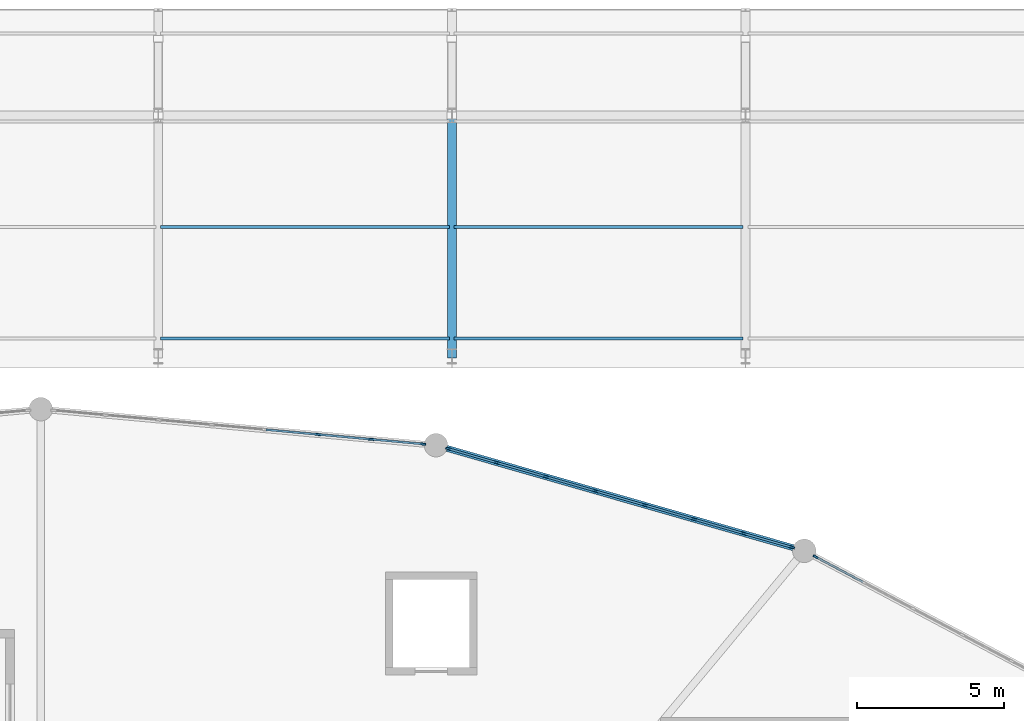
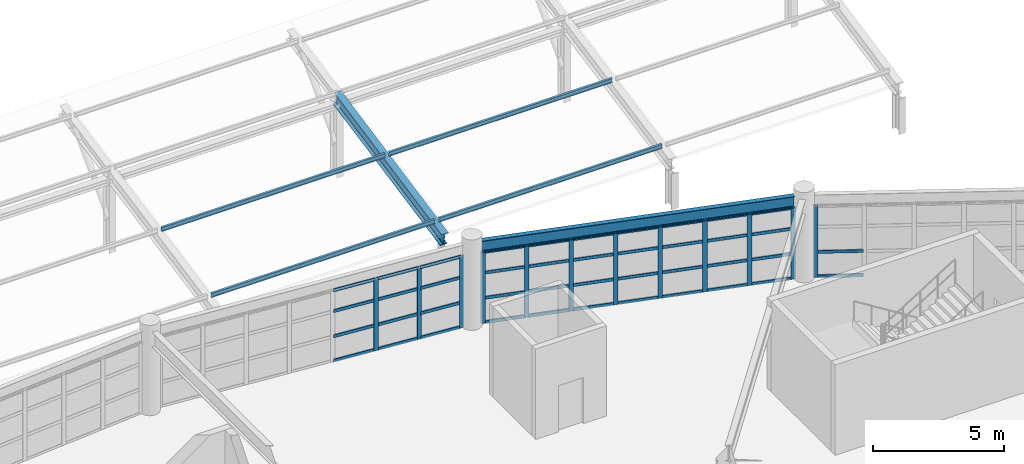
# One storey, part 45 of 100: 58 members, 2 beams, 3 elements without a shape of their own.
"""IFC4 building model written with IfcOpenShell, lengths in metres."""

from ifc_helpers import new_model, si_unit, direction, frame, origin, origin_2d, place, context, subcontext, project, spatial, rectangle, i_section, extrude, material, layer, layer_set, material_profile, profile_set, type_object, element, aggregate, save


model = new_model("IFC4")

# Units and contexts
model_context = context("Model", 3, precision=1e-05, world=origin(), true_north=direction((0.0, 1.0)))
body_context = subcontext(model_context, "Body", "Model", "MODEL_VIEW")
ifc_project = project(units=[si_unit("LENGTHUNIT", "METRE"), si_unit("AREAUNIT", "SQUARE_METRE"), si_unit("VOLUMEUNIT", "CUBIC_METRE"), si_unit("PLANEANGLEUNIT", "RADIAN"), si_unit("MASSUNIT", "GRAM", prefix="KILO")], contexts=[model_context])

# Site, building, storey
site_placement = place(None, origin())
site = spatial("IfcSite", under=ifc_project, at=site_placement, CompositionType="ELEMENT")
building_placement = place(site_placement, origin())
building = spatial("IfcBuilding", under=site, at=building_placement, Name="Kivolera Central Railway Station", CompositionType="ELEMENT")
storey_placement = place(building_placement, frame((0.0, 0.0, 5.39990234375)))
storey = spatial("IfcBuildingStorey", under=building, at=storey_placement, Name="L01", CompositionType="ELEMENT", Elevation=5.39990234375)

# Beams
ifc_material_1 = material(Name="Steel S355", Category="steel")
ifc_material_profile_1 = material_profile(ifc_material_1, i_section(OverallWidth=0.300048828125, OverallDepth=0.60009765625, WebThickness=0.015380859375, FlangeThickness=0.030029296875, FilletRadius=0.027099609375, at=origin_2d()), Name="HEB 600")
ifc_profile_set_1 = profile_set([ifc_material_profile_1], Name="Steel S355")
beam_type_1 = type_object("IfcBeamType", Name="BM-CAN-MAIN", PredefinedType="BEAM", material=ifc_profile_set_1)
beam_1_placement = place(storey_placement, frame((78.0, 127.800048828125, 1.940185546875), z_axis=(0.0, 0.98058292142, 0.196104906159), x_axis=(-1.0, 0.0, 0.0)))
element("IfcBeam", 1, at=beam_1_placement, inside=storey, type_object=beam_type_1, Name="Forecourt Canopy Main Back-Span Girder 6", PredefinedType="BEAM", context=body_context, shape_type="SweptSolid", body=[
    extrude(i_section(OverallWidth=0.300048828125, OverallDepth=0.60009765625, WebThickness=0.015380859375, FlangeThickness=0.030029296875, FilletRadius=0.027099609375, at=origin_2d()), origin(), (0.0, 0.0, 1.0), 8.3623046875),
])
ifc_material_profile_2 = material_profile(ifc_material_1, i_section(OverallWidth=0.209228515625, OverallDepth=0.533203125, WebThickness=0.010009765625, FlangeThickness=0.015625, FilletRadius=0.0126953125, at=origin_2d()), Name="UB 533x210x92")
ifc_profile_set_2 = profile_set([ifc_material_profile_2], Name="Steel S355")
beam_type_2 = type_object("IfcBeamType", Name="BM-SHD-UB533", PredefinedType="BEAM", material=ifc_profile_set_2)
beam_2_placement = place(storey_placement, frame((89.625, 121.283935546875, 3.611083984375), z_axis=(-0.961238780007, 0.275717260631, 0.0), x_axis=(-0.275717260631, -0.961238780007, 0.0)))
element("IfcBeam", 2, at=beam_2_placement, inside=storey, type_object=beam_type_2, Name="L01 Oval Perimeter Ring Beam 05", PredefinedType="BEAM", context=body_context, shape_type="SweptSolid", body=[
    extrude(i_section(OverallWidth=0.209228515625, OverallDepth=0.533203125, WebThickness=0.010009765625, FlangeThickness=0.015625, FilletRadius=0.0126953125, at=origin_2d()), origin(), (0.0, 0.0, 1.0), 12.266357421875),
])

# Curtain wall, member
ifc_material_2 = material(Name="Anodised aluminium", Category="aluminium")
ifc_layer_1 = layer(ifc_material_2, 0.179931640625, Name="Anodised aluminium")
ifc_layer_set_1 = layer_set([ifc_layer_1], Name="Anodised aluminium")
curtain_wall_type_1 = type_object("IfcCurtainWallType", Name="CW-SYS-08", PredefinedType="NOTDEFINED", material=ifc_layer_set_1)
curtain_wall_1_placement = place(storey_placement, origin())
curtain_wall_1 = element("IfcCurtainWall", 3, at=curtain_wall_1_placement, inside=storey, type_object=curtain_wall_type_1, Name="L01 Curtain Wall CW-L01-OVL-03", PredefinedType="NOTDEFINED")
ifc_material_profile_3 = material_profile(ifc_material_2, rectangle(XDim=0.070068359375, YDim=0.179931640625, at=origin_2d()), Name="ALU MULL 70x180")
ifc_profile_set_3 = profile_set([ifc_material_profile_3], Name="Anodised aluminium")
member_type_1 = type_object("IfcMemberType", Name="CWM-MUL-1", PredefinedType="MULLION", material=ifc_profile_set_3)
member_1_placement = place(storey_placement, frame((90.3837890625, 120.97265625, -0.0048828125), z_axis=(0.0, 0.0, 1.0), x_axis=(0.469052563023, 0.883170251493, 0.0)))
member_1 = element("IfcMember", 4, at=member_1_placement, type_object=member_type_1, Name="CW-08 mullion 1", PredefinedType="MULLION", context=body_context, shape_type="SweptSolid", body=[
    extrude(rectangle(XDim=0.070068359375, YDim=0.179931640625, at=origin_2d()), origin(), (0.0, 0.0, 1.0), 3.344970703125),
])

# Curtain wall, members
ifc_layer_2 = layer(ifc_material_2, 0.179931640625, Name="Anodised aluminium")
ifc_layer_set_2 = layer_set([ifc_layer_2], Name="Anodised aluminium")
curtain_wall_type_2 = type_object("IfcCurtainWallType", Name="CW-SYS-10", PredefinedType="NOTDEFINED", material=ifc_layer_set_2)
curtain_wall_2_placement = place(storey_placement, origin())
curtain_wall_2 = element("IfcCurtainWall", 5, at=curtain_wall_2_placement, inside=storey, type_object=curtain_wall_type_2, Name="L01 Curtain Wall CW-L01-OVL-04", PredefinedType="NOTDEFINED")
member_2_placement = place(storey_placement, frame((77.877685546875, 124.6533203125, -0.0048828125), z_axis=(0.0, 0.0, 1.0), x_axis=(0.27569168989, 0.961246114232, 0.0)))
member_2 = element("IfcMember", 6, at=member_2_placement, type_object=member_type_1, Name="CW-10 mullion 1", PredefinedType="MULLION", context=body_context, shape_type="SweptSolid", body=[
    extrude(rectangle(XDim=0.070068359375, YDim=0.179931640625, at=origin_2d()), origin(), (0.0, 0.0, 1.0), 3.344970703125),
])
member_3_placement = place(storey_placement, frame((79.525634765625, 124.1806640625, -0.0048828125), z_axis=(0.0, 0.0, 1.0), x_axis=(0.27569168989, 0.961246114232, 0.0)))
member_3 = element("IfcMember", 7, at=member_3_placement, type_object=member_type_1, Name="CW-10 mullion 2", PredefinedType="MULLION", context=body_context, shape_type="SweptSolid", body=[
    extrude(rectangle(XDim=0.070068359375, YDim=0.179931640625, at=origin_2d()), origin(), (0.0, 0.0, 1.0), 3.344970703125),
])
member_4_placement = place(storey_placement, frame((81.20703125, 123.698486328125, -0.0048828125), z_axis=(0.0, 0.0, 1.0), x_axis=(0.27569168989, 0.961246114232, 0.0)))
member_4 = element("IfcMember", 8, at=member_4_placement, type_object=member_type_1, Name="CW-10 mullion 3", PredefinedType="MULLION", context=body_context, shape_type="SweptSolid", body=[
    extrude(rectangle(XDim=0.070068359375, YDim=0.179931640625, at=origin_2d()), origin(), (0.0, 0.0, 1.0), 3.344970703125),
])
member_5_placement = place(storey_placement, frame((82.888671875, 123.216064453125, -0.0048828125), z_axis=(0.0, 0.0, 1.0), x_axis=(0.27569168989, 0.961246114232, 0.0)))
member_5 = element("IfcMember", 9, at=member_5_placement, type_object=member_type_1, Name="CW-10 mullion 4", PredefinedType="MULLION", context=body_context, shape_type="SweptSolid", body=[
    extrude(rectangle(XDim=0.070068359375, YDim=0.179931640625, at=origin_2d()), origin(), (0.0, 0.0, 1.0), 3.344970703125),
])
member_6_placement = place(storey_placement, frame((84.5703125, 122.73388671875, -0.0048828125), z_axis=(0.0, 0.0, 1.0), x_axis=(0.27569168989, 0.961246114232, 0.0)))
member_6 = element("IfcMember", 10, at=member_6_placement, type_object=member_type_1, Name="CW-10 mullion 5", PredefinedType="MULLION", context=body_context, shape_type="SweptSolid", body=[
    extrude(rectangle(XDim=0.070068359375, YDim=0.179931640625, at=origin_2d()), origin(), (0.0, 0.0, 1.0), 3.344970703125),
])
member_7_placement = place(storey_placement, frame((86.251953125, 122.25146484375, -0.0048828125), z_axis=(0.0, 0.0, 1.0), x_axis=(0.27569168989, 0.961246114232, 0.0)))
member_7 = element("IfcMember", 11, at=member_7_placement, type_object=member_type_1, Name="CW-10 mullion 6", PredefinedType="MULLION", context=body_context, shape_type="SweptSolid", body=[
    extrude(rectangle(XDim=0.070068359375, YDim=0.179931640625, at=origin_2d()), origin(), (0.0, 0.0, 1.0), 3.344970703125),
])
member_8_placement = place(storey_placement, frame((87.933349609375, 121.769287109375, -0.0048828125), z_axis=(0.0, 0.0, 1.0), x_axis=(0.27569168989, 0.961246114232, 0.0)))
member_8 = element("IfcMember", 12, at=member_8_placement, type_object=member_type_1, Name="CW-10 mullion 7", PredefinedType="MULLION", context=body_context, shape_type="SweptSolid", body=[
    extrude(rectangle(XDim=0.070068359375, YDim=0.179931640625, at=origin_2d()), origin(), (0.0, 0.0, 1.0), 3.344970703125),
])
member_9_placement = place(storey_placement, frame((89.581298828125, 121.296630859375, -0.0048828125), z_axis=(0.0, 0.0, 1.0), x_axis=(0.27569168989, 0.961246114232, 0.0)))
member_9 = element("IfcMember", 13, at=member_9_placement, type_object=member_type_1, Name="CW-10 mullion 8", PredefinedType="MULLION", context=body_context, shape_type="SweptSolid", body=[
    extrude(rectangle(XDim=0.070068359375, YDim=0.179931640625, at=origin_2d()), origin(), (0.0, 0.0, 1.0), 3.344970703125),
])

ifc_layer_3 = layer(ifc_material_2, 0.179931640625, Name="Anodised aluminium")
ifc_layer_set_3 = layer_set([ifc_layer_3], Name="Anodised aluminium")
curtain_wall_type_3 = type_object("IfcCurtainWallType", Name="CW-SYS-12", PredefinedType="NOTDEFINED", material=ifc_layer_set_3)
curtain_wall_3_placement = place(storey_placement, origin())
curtain_wall_3 = element("IfcCurtainWall", 14, at=curtain_wall_3_placement, inside=storey, type_object=curtain_wall_type_3, Name="L01 Curtain Wall CW-L01-OVL-05", PredefinedType="NOTDEFINED")
member_10_placement = place(storey_placement, frame((73.443115234375, 125.138916015625, -0.0048828125), z_axis=(0.0, 0.0, 1.0), x_axis=(0.090833556942, 0.995866087852, 0.0)))
member_10 = element("IfcMember", 15, at=member_10_placement, type_object=member_type_1, Name="CW-12 mullion 6", PredefinedType="MULLION", context=body_context, shape_type="SweptSolid", body=[
    extrude(rectangle(XDim=0.070068359375, YDim=0.179931640625, at=origin_2d()), origin(), (0.0, 0.0, 1.0), 3.344970703125),
])
member_11_placement = place(storey_placement, frame((75.251953125, 124.97412109375, -0.0048828125), z_axis=(0.0, 0.0, 1.0), x_axis=(0.090833556942, 0.995866087852, 0.0)))
member_11 = element("IfcMember", 16, at=member_11_placement, type_object=member_type_1, Name="CW-12 mullion 7", PredefinedType="MULLION", context=body_context, shape_type="SweptSolid", body=[
    extrude(rectangle(XDim=0.070068359375, YDim=0.179931640625, at=origin_2d()), origin(), (0.0, 0.0, 1.0), 3.344970703125),
])
member_12_placement = place(storey_placement, frame((77.026123046875, 124.812255859375, -0.0048828125), z_axis=(0.0, 0.0, 1.0), x_axis=(0.090833556942, 0.995866087852, 0.0)))
member_12 = element("IfcMember", 17, at=member_12_placement, type_object=member_type_1, Name="CW-12 mullion 8", PredefinedType="MULLION", context=body_context, shape_type="SweptSolid", body=[
    extrude(rectangle(XDim=0.070068359375, YDim=0.179931640625, at=origin_2d()), origin(), (0.0, 0.0, 1.0), 3.344970703125),
])

# Member
ifc_material_profile_4 = material_profile(ifc_material_2, rectangle(XDim=0.070068359375, YDim=0.139892578125, at=origin_2d()), Name="ALU TRAN 70x140")
ifc_profile_set_4 = profile_set([ifc_material_profile_4], Name="Anodised aluminium")
member_type_2 = type_object("IfcMemberType", Name="CWM-TRN-1", PredefinedType="USERDEFINED", material=ifc_profile_set_4)
member_13_placement = place(storey_placement, frame((90.414794921875, 120.9560546875, 0.03515625), z_axis=(0.883191460259, -0.469012627255, 0.0), x_axis=(0.469012627255, 0.883191460259, 0.0)))
member_13 = element("IfcMember", 18, at=member_13_placement, type_object=member_type_2, Name="CW-08 transom 1.1", ObjectType="TRANSOM", PredefinedType="USERDEFINED", context=body_context, shape_type="SweptSolid", body=[
    extrude(rectangle(XDim=0.070068359375, YDim=0.139892578125, at=origin_2d()), origin(), (0.0, 0.0, 1.0), 1.794189453125),
])

member_14_placement = place(storey_placement, frame((90.414794921875, 120.9560546875, 1.169189453125), z_axis=(0.883191460259, -0.469012627255, 0.0), x_axis=(0.469012627255, 0.883191460259, 0.0)))
member_14 = element("IfcMember", 19, at=member_14_placement, type_object=member_type_2, Name="CW-08 transom 1.2", ObjectType="TRANSOM", PredefinedType="USERDEFINED", context=body_context, shape_type="SweptSolid", body=[
    extrude(rectangle(XDim=0.070068359375, YDim=0.139892578125, at=origin_2d()), origin(), (0.0, 0.0, 1.0), 1.794189453125),
])

aggregate(curtain_wall_1, [member_1, member_13, member_14])

member_15_placement = place(storey_placement, frame((77.911376953125, 124.643798828125, 0.03515625), z_axis=(0.961237680042, -0.275721095434, 0.0), x_axis=(0.275721095434, 0.961237680042, 0.0)))
member_15 = element("IfcMember", 20, at=member_15_placement, type_object=member_type_2, Name="CW-10 transom 1.1", ObjectType="TRANSOM", PredefinedType="USERDEFINED", context=body_context, shape_type="SweptSolid", body=[
    extrude(rectangle(XDim=0.070068359375, YDim=0.139892578125, at=origin_2d()), origin(), (0.0, 0.0, 1.0), 1.644287109375),
])

member_16_placement = place(storey_placement, frame((77.911376953125, 124.643798828125, 1.169189453125), z_axis=(0.961237680042, -0.275721095434, 0.0), x_axis=(0.275721095434, 0.961237680042, 0.0)))
member_16 = element("IfcMember", 21, at=member_16_placement, type_object=member_type_2, Name="CW-10 transom 1.2", ObjectType="TRANSOM", PredefinedType="USERDEFINED", context=body_context, shape_type="SweptSolid", body=[
    extrude(rectangle(XDim=0.070068359375, YDim=0.139892578125, at=origin_2d()), origin(), (0.0, 0.0, 1.0), 1.644287109375),
])

member_17_placement = place(storey_placement, frame((77.911376953125, 124.643798828125, 2.338134765625), z_axis=(0.961237680042, -0.275721095434, 0.0), x_axis=(0.275721095434, 0.961237680042, 0.0)))
member_17 = element("IfcMember", 22, at=member_17_placement, type_object=member_type_2, Name="CW-10 transom 1.3", ObjectType="TRANSOM", PredefinedType="USERDEFINED", context=body_context, shape_type="SweptSolid", body=[
    extrude(rectangle(XDim=0.070068359375, YDim=0.139892578125, at=origin_2d()), origin(), (0.0, 0.0, 1.0), 1.644287109375),
])

member_18_placement = place(storey_placement, frame((77.911376953125, 124.643798828125, 3.30517578125), z_axis=(0.961237680042, -0.275721095434, 0.0), x_axis=(0.275721095434, 0.961237680042, 0.0)))
member_18 = element("IfcMember", 23, at=member_18_placement, type_object=member_type_2, Name="CW-10 transom 1.4", ObjectType="TRANSOM", PredefinedType="USERDEFINED", context=body_context, shape_type="SweptSolid", body=[
    extrude(rectangle(XDim=0.070068359375, YDim=0.139892578125, at=origin_2d()), origin(), (0.0, 0.0, 1.0), 1.644287109375),
])

member_19_placement = place(storey_placement, frame((79.559326171875, 124.171142578125, 0.03515625), z_axis=(0.961221645359, -0.275776990509, 0.0), x_axis=(0.275776990509, 0.961221645359, 0.0)))
member_19 = element("IfcMember", 24, at=member_19_placement, type_object=member_type_2, Name="CW-10 transom 2.1", ObjectType="TRANSOM", PredefinedType="USERDEFINED", context=body_context, shape_type="SweptSolid", body=[
    extrude(rectangle(XDim=0.070068359375, YDim=0.139892578125, at=origin_2d()), origin(), (0.0, 0.0, 1.0), 1.679443359375),
])

member_20_placement = place(storey_placement, frame((79.559326171875, 124.171142578125, 1.169189453125), z_axis=(0.961221645359, -0.275776990509, 0.0), x_axis=(0.275776990509, 0.961221645359, 0.0)))
member_20 = element("IfcMember", 25, at=member_20_placement, type_object=member_type_2, Name="CW-10 transom 2.2", ObjectType="TRANSOM", PredefinedType="USERDEFINED", context=body_context, shape_type="SweptSolid", body=[
    extrude(rectangle(XDim=0.070068359375, YDim=0.139892578125, at=origin_2d()), origin(), (0.0, 0.0, 1.0), 1.679443359375),
])

member_21_placement = place(storey_placement, frame((79.559326171875, 124.171142578125, 2.338134765625), z_axis=(0.961221645359, -0.275776990509, 0.0), x_axis=(0.275776990509, 0.961221645359, 0.0)))
member_21 = element("IfcMember", 26, at=member_21_placement, type_object=member_type_2, Name="CW-10 transom 2.3", ObjectType="TRANSOM", PredefinedType="USERDEFINED", context=body_context, shape_type="SweptSolid", body=[
    extrude(rectangle(XDim=0.070068359375, YDim=0.139892578125, at=origin_2d()), origin(), (0.0, 0.0, 1.0), 1.679443359375),
])

member_22_placement = place(storey_placement, frame((79.559326171875, 124.171142578125, 3.30517578125), z_axis=(0.961221645359, -0.275776990509, 0.0), x_axis=(0.275776990509, 0.961221645359, 0.0)))
member_22 = element("IfcMember", 27, at=member_22_placement, type_object=member_type_2, Name="CW-10 transom 2.4", ObjectType="TRANSOM", PredefinedType="USERDEFINED", context=body_context, shape_type="SweptSolid", body=[
    extrude(rectangle(XDim=0.070068359375, YDim=0.139892578125, at=origin_2d()), origin(), (0.0, 0.0, 1.0), 1.679443359375),
])

member_23_placement = place(storey_placement, frame((81.24072265625, 123.688720703125, 0.03515625), z_axis=(0.961260174018, -0.27564266333, 0.0), x_axis=(0.27564266333, 0.961260174018, 0.0)))
member_23 = element("IfcMember", 28, at=member_23_placement, type_object=member_type_2, Name="CW-10 transom 3.1", ObjectType="TRANSOM", PredefinedType="USERDEFINED", context=body_context, shape_type="SweptSolid", body=[
    extrude(rectangle(XDim=0.070068359375, YDim=0.139892578125, at=origin_2d()), origin(), (0.0, 0.0, 1.0), 1.67919921875),
])

member_24_placement = place(storey_placement, frame((81.24072265625, 123.688720703125, 1.169189453125), z_axis=(0.961260174018, -0.27564266333, 0.0), x_axis=(0.27564266333, 0.961260174018, 0.0)))
member_24 = element("IfcMember", 29, at=member_24_placement, type_object=member_type_2, Name="CW-10 transom 3.2", ObjectType="TRANSOM", PredefinedType="USERDEFINED", context=body_context, shape_type="SweptSolid", body=[
    extrude(rectangle(XDim=0.070068359375, YDim=0.139892578125, at=origin_2d()), origin(), (0.0, 0.0, 1.0), 1.67919921875),
])

member_25_placement = place(storey_placement, frame((81.24072265625, 123.688720703125, 2.338134765625), z_axis=(0.961260174018, -0.27564266333, 0.0), x_axis=(0.27564266333, 0.961260174018, 0.0)))
member_25 = element("IfcMember", 30, at=member_25_placement, type_object=member_type_2, Name="CW-10 transom 3.3", ObjectType="TRANSOM", PredefinedType="USERDEFINED", context=body_context, shape_type="SweptSolid", body=[
    extrude(rectangle(XDim=0.070068359375, YDim=0.139892578125, at=origin_2d()), origin(), (0.0, 0.0, 1.0), 1.67919921875),
])

member_26_placement = place(storey_placement, frame((81.24072265625, 123.688720703125, 3.30517578125), z_axis=(0.961260174018, -0.27564266333, 0.0), x_axis=(0.27564266333, 0.961260174018, 0.0)))
member_26 = element("IfcMember", 31, at=member_26_placement, type_object=member_type_2, Name="CW-10 transom 3.4", ObjectType="TRANSOM", PredefinedType="USERDEFINED", context=body_context, shape_type="SweptSolid", body=[
    extrude(rectangle(XDim=0.070068359375, YDim=0.139892578125, at=origin_2d()), origin(), (0.0, 0.0, 1.0), 1.67919921875),
])

member_27_placement = place(storey_placement, frame((82.92236328125, 123.20654296875, 0.03515625), z_axis=(0.961221645359, -0.275776990509, 0.0), x_axis=(0.275776990509, 0.961221645359, 0.0)))
member_27 = element("IfcMember", 32, at=member_27_placement, type_object=member_type_2, Name="CW-10 transom 4.1", ObjectType="TRANSOM", PredefinedType="USERDEFINED", context=body_context, shape_type="SweptSolid", body=[
    extrude(rectangle(XDim=0.070068359375, YDim=0.139892578125, at=origin_2d()), origin(), (0.0, 0.0, 1.0), 1.679443359375),
])

member_28_placement = place(storey_placement, frame((82.92236328125, 123.20654296875, 1.169189453125), z_axis=(0.961221645359, -0.275776990509, 0.0), x_axis=(0.275776990509, 0.961221645359, 0.0)))
member_28 = element("IfcMember", 33, at=member_28_placement, type_object=member_type_2, Name="CW-10 transom 4.2", ObjectType="TRANSOM", PredefinedType="USERDEFINED", context=body_context, shape_type="SweptSolid", body=[
    extrude(rectangle(XDim=0.070068359375, YDim=0.139892578125, at=origin_2d()), origin(), (0.0, 0.0, 1.0), 1.679443359375),
])

member_29_placement = place(storey_placement, frame((82.92236328125, 123.20654296875, 2.338134765625), z_axis=(0.961221645359, -0.275776990509, 0.0), x_axis=(0.275776990509, 0.961221645359, 0.0)))
member_29 = element("IfcMember", 34, at=member_29_placement, type_object=member_type_2, Name="CW-10 transom 4.3", ObjectType="TRANSOM", PredefinedType="USERDEFINED", context=body_context, shape_type="SweptSolid", body=[
    extrude(rectangle(XDim=0.070068359375, YDim=0.139892578125, at=origin_2d()), origin(), (0.0, 0.0, 1.0), 1.679443359375),
])

member_30_placement = place(storey_placement, frame((82.92236328125, 123.20654296875, 3.30517578125), z_axis=(0.961221645359, -0.275776990509, 0.0), x_axis=(0.275776990509, 0.961221645359, 0.0)))
member_30 = element("IfcMember", 35, at=member_30_placement, type_object=member_type_2, Name="CW-10 transom 4.4", ObjectType="TRANSOM", PredefinedType="USERDEFINED", context=body_context, shape_type="SweptSolid", body=[
    extrude(rectangle(XDim=0.070068359375, YDim=0.139892578125, at=origin_2d()), origin(), (0.0, 0.0, 1.0), 1.679443359375),
])

member_31_placement = place(storey_placement, frame((84.60400390625, 122.72412109375, 0.03515625), z_axis=(0.961260174018, -0.27564266333, 0.0), x_axis=(0.27564266333, 0.961260174018, 0.0)))
member_31 = element("IfcMember", 36, at=member_31_placement, type_object=member_type_2, Name="CW-10 transom 5.1", ObjectType="TRANSOM", PredefinedType="USERDEFINED", context=body_context, shape_type="SweptSolid", body=[
    extrude(rectangle(XDim=0.070068359375, YDim=0.139892578125, at=origin_2d()), origin(), (0.0, 0.0, 1.0), 1.67919921875),
])

member_32_placement = place(storey_placement, frame((84.60400390625, 122.72412109375, 1.169189453125), z_axis=(0.961260174018, -0.27564266333, 0.0), x_axis=(0.27564266333, 0.961260174018, 0.0)))
member_32 = element("IfcMember", 37, at=member_32_placement, type_object=member_type_2, Name="CW-10 transom 5.2", ObjectType="TRANSOM", PredefinedType="USERDEFINED", context=body_context, shape_type="SweptSolid", body=[
    extrude(rectangle(XDim=0.070068359375, YDim=0.139892578125, at=origin_2d()), origin(), (0.0, 0.0, 1.0), 1.67919921875),
])

member_33_placement = place(storey_placement, frame((84.60400390625, 122.72412109375, 2.338134765625), z_axis=(0.961260174018, -0.27564266333, 0.0), x_axis=(0.27564266333, 0.961260174018, 0.0)))
member_33 = element("IfcMember", 38, at=member_33_placement, type_object=member_type_2, Name="CW-10 transom 5.3", ObjectType="TRANSOM", PredefinedType="USERDEFINED", context=body_context, shape_type="SweptSolid", body=[
    extrude(rectangle(XDim=0.070068359375, YDim=0.139892578125, at=origin_2d()), origin(), (0.0, 0.0, 1.0), 1.67919921875),
])

member_34_placement = place(storey_placement, frame((84.60400390625, 122.72412109375, 3.30517578125), z_axis=(0.961260174018, -0.27564266333, 0.0), x_axis=(0.27564266333, 0.961260174018, 0.0)))
member_34 = element("IfcMember", 39, at=member_34_placement, type_object=member_type_2, Name="CW-10 transom 5.4", ObjectType="TRANSOM", PredefinedType="USERDEFINED", context=body_context, shape_type="SweptSolid", body=[
    extrude(rectangle(XDim=0.070068359375, YDim=0.139892578125, at=origin_2d()), origin(), (0.0, 0.0, 1.0), 1.67919921875),
])

member_35_placement = place(storey_placement, frame((86.285400390625, 122.241943359375, 0.03515625), z_axis=(0.961271217599, -0.275604147674, 0.0), x_axis=(0.275604147674, 0.961271217599, 0.0)))
member_35 = element("IfcMember", 40, at=member_35_placement, type_object=member_type_2, Name="CW-10 transom 6.1", ObjectType="TRANSOM", PredefinedType="USERDEFINED", context=body_context, shape_type="SweptSolid", body=[
    extrude(rectangle(XDim=0.070068359375, YDim=0.139892578125, at=origin_2d()), origin(), (0.0, 0.0, 1.0), 1.679443359375),
])

member_36_placement = place(storey_placement, frame((86.285400390625, 122.241943359375, 1.169189453125), z_axis=(0.961271217599, -0.275604147674, 0.0), x_axis=(0.275604147674, 0.961271217599, 0.0)))
member_36 = element("IfcMember", 41, at=member_36_placement, type_object=member_type_2, Name="CW-10 transom 6.2", ObjectType="TRANSOM", PredefinedType="USERDEFINED", context=body_context, shape_type="SweptSolid", body=[
    extrude(rectangle(XDim=0.070068359375, YDim=0.139892578125, at=origin_2d()), origin(), (0.0, 0.0, 1.0), 1.679443359375),
])

member_37_placement = place(storey_placement, frame((86.285400390625, 122.241943359375, 2.338134765625), z_axis=(0.961271217599, -0.275604147674, 0.0), x_axis=(0.275604147674, 0.961271217599, 0.0)))
member_37 = element("IfcMember", 42, at=member_37_placement, type_object=member_type_2, Name="CW-10 transom 6.3", ObjectType="TRANSOM", PredefinedType="USERDEFINED", context=body_context, shape_type="SweptSolid", body=[
    extrude(rectangle(XDim=0.070068359375, YDim=0.139892578125, at=origin_2d()), origin(), (0.0, 0.0, 1.0), 1.679443359375),
])

member_38_placement = place(storey_placement, frame((86.285400390625, 122.241943359375, 3.30517578125), z_axis=(0.961271217599, -0.275604147674, 0.0), x_axis=(0.275604147674, 0.961271217599, 0.0)))
member_38 = element("IfcMember", 43, at=member_38_placement, type_object=member_type_2, Name="CW-10 transom 6.4", ObjectType="TRANSOM", PredefinedType="USERDEFINED", context=body_context, shape_type="SweptSolid", body=[
    extrude(rectangle(XDim=0.070068359375, YDim=0.139892578125, at=origin_2d()), origin(), (0.0, 0.0, 1.0), 1.679443359375),
])

member_39_placement = place(storey_placement, frame((87.967041015625, 121.759521484375, 0.03515625), z_axis=(0.961277023143, -0.275583897892, 0.0), x_axis=(0.275583897892, 0.961277023143, 0.0)))
member_39 = element("IfcMember", 44, at=member_39_placement, type_object=member_type_2, Name="CW-10 transom 7.1", ObjectType="TRANSOM", PredefinedType="USERDEFINED", context=body_context, shape_type="SweptSolid", body=[
    extrude(rectangle(XDim=0.070068359375, YDim=0.139892578125, at=origin_2d()), origin(), (0.0, 0.0, 1.0), 1.644287109375),
])

member_40_placement = place(storey_placement, frame((87.967041015625, 121.759521484375, 1.169189453125), z_axis=(0.961277023143, -0.275583897892, 0.0), x_axis=(0.275583897892, 0.961277023143, 0.0)))
member_40 = element("IfcMember", 45, at=member_40_placement, type_object=member_type_2, Name="CW-10 transom 7.2", ObjectType="TRANSOM", PredefinedType="USERDEFINED", context=body_context, shape_type="SweptSolid", body=[
    extrude(rectangle(XDim=0.070068359375, YDim=0.139892578125, at=origin_2d()), origin(), (0.0, 0.0, 1.0), 1.644287109375),
])

member_41_placement = place(storey_placement, frame((87.967041015625, 121.759521484375, 2.338134765625), z_axis=(0.961277023143, -0.275583897892, 0.0), x_axis=(0.275583897892, 0.961277023143, 0.0)))
member_41 = element("IfcMember", 46, at=member_41_placement, type_object=member_type_2, Name="CW-10 transom 7.3", ObjectType="TRANSOM", PredefinedType="USERDEFINED", context=body_context, shape_type="SweptSolid", body=[
    extrude(rectangle(XDim=0.070068359375, YDim=0.139892578125, at=origin_2d()), origin(), (0.0, 0.0, 1.0), 1.644287109375),
])

member_42_placement = place(storey_placement, frame((87.967041015625, 121.759521484375, 3.30517578125), z_axis=(0.961277023143, -0.275583897892, 0.0), x_axis=(0.275583897892, 0.961277023143, 0.0)))
member_42 = element("IfcMember", 47, at=member_42_placement, type_object=member_type_2, Name="CW-10 transom 7.4", ObjectType="TRANSOM", PredefinedType="USERDEFINED", context=body_context, shape_type="SweptSolid", body=[
    extrude(rectangle(XDim=0.070068359375, YDim=0.139892578125, at=origin_2d()), origin(), (0.0, 0.0, 1.0), 1.644287109375),
])

aggregate(curtain_wall_2, [member_2, member_3, member_4, member_5, member_6, member_7, member_8, member_9, member_15, member_16, member_17, member_18, member_19, member_20, member_21, member_22, member_23, member_24, member_25, member_26, member_27, member_28, member_29, member_30, member_31, member_32, member_33, member_34, member_35, member_36, member_37, member_38, member_39, member_40, member_41, member_42])

member_43_placement = place(storey_placement, frame((71.6689453125, 125.30078125, 0.03515625), z_axis=(0.995863361258, -0.09086344537, 0.0), x_axis=(0.09086344537, 0.995863361258, 0.0)))
member_43 = element("IfcMember", 48, at=member_43_placement, type_object=member_type_2, Name="CW-12 transom 5.1", ObjectType="TRANSOM", PredefinedType="USERDEFINED", context=body_context, shape_type="SweptSolid", body=[
    extrude(rectangle(XDim=0.070068359375, YDim=0.139892578125, at=origin_2d()), origin(), (0.0, 0.0, 1.0), 1.74658203125),
])

member_44_placement = place(storey_placement, frame((71.6689453125, 125.30078125, 1.169189453125), z_axis=(0.995863361258, -0.09086344537, 0.0), x_axis=(0.09086344537, 0.995863361258, 0.0)))
member_44 = element("IfcMember", 49, at=member_44_placement, type_object=member_type_2, Name="CW-12 transom 5.2", ObjectType="TRANSOM", PredefinedType="USERDEFINED", context=body_context, shape_type="SweptSolid", body=[
    extrude(rectangle(XDim=0.070068359375, YDim=0.139892578125, at=origin_2d()), origin(), (0.0, 0.0, 1.0), 1.74658203125),
])

member_45_placement = place(storey_placement, frame((71.6689453125, 125.30078125, 2.338134765625), z_axis=(0.995863361258, -0.09086344537, 0.0), x_axis=(0.09086344537, 0.995863361258, 0.0)))
member_45 = element("IfcMember", 50, at=member_45_placement, type_object=member_type_2, Name="CW-12 transom 5.3", ObjectType="TRANSOM", PredefinedType="USERDEFINED", context=body_context, shape_type="SweptSolid", body=[
    extrude(rectangle(XDim=0.070068359375, YDim=0.139892578125, at=origin_2d()), origin(), (0.0, 0.0, 1.0), 1.74658203125),
])

member_46_placement = place(storey_placement, frame((71.6689453125, 125.30078125, 3.30517578125), z_axis=(0.995863361258, -0.09086344537, 0.0), x_axis=(0.09086344537, 0.995863361258, 0.0)))
member_46 = element("IfcMember", 51, at=member_46_placement, type_object=member_type_2, Name="CW-12 transom 5.4", ObjectType="TRANSOM", PredefinedType="USERDEFINED", context=body_context, shape_type="SweptSolid", body=[
    extrude(rectangle(XDim=0.070068359375, YDim=0.139892578125, at=origin_2d()), origin(), (0.0, 0.0, 1.0), 1.74658203125),
])

member_47_placement = place(storey_placement, frame((73.477783203125, 125.1357421875, 0.03515625), z_axis=(0.995876001019, -0.090724806943, 0.0), x_axis=(0.090724806943, 0.995876001019, 0.0)))
member_47 = element("IfcMember", 52, at=member_47_placement, type_object=member_type_2, Name="CW-12 transom 6.1", ObjectType="TRANSOM", PredefinedType="USERDEFINED", context=body_context, shape_type="SweptSolid", body=[
    extrude(rectangle(XDim=0.070068359375, YDim=0.139892578125, at=origin_2d()), origin(), (0.0, 0.0, 1.0), 1.74658203125),
])

member_48_placement = place(storey_placement, frame((73.477783203125, 125.1357421875, 1.169189453125), z_axis=(0.995876001019, -0.090724806943, 0.0), x_axis=(0.090724806943, 0.995876001019, 0.0)))
member_48 = element("IfcMember", 53, at=member_48_placement, type_object=member_type_2, Name="CW-12 transom 6.2", ObjectType="TRANSOM", PredefinedType="USERDEFINED", context=body_context, shape_type="SweptSolid", body=[
    extrude(rectangle(XDim=0.070068359375, YDim=0.139892578125, at=origin_2d()), origin(), (0.0, 0.0, 1.0), 1.74658203125),
])

member_49_placement = place(storey_placement, frame((73.477783203125, 125.1357421875, 2.338134765625), z_axis=(0.995876001019, -0.090724806943, 0.0), x_axis=(0.090724806943, 0.995876001019, 0.0)))
member_49 = element("IfcMember", 54, at=member_49_placement, type_object=member_type_2, Name="CW-12 transom 6.3", ObjectType="TRANSOM", PredefinedType="USERDEFINED", context=body_context, shape_type="SweptSolid", body=[
    extrude(rectangle(XDim=0.070068359375, YDim=0.139892578125, at=origin_2d()), origin(), (0.0, 0.0, 1.0), 1.74658203125),
])

member_50_placement = place(storey_placement, frame((73.477783203125, 125.1357421875, 3.30517578125), z_axis=(0.995876001019, -0.090724806943, 0.0), x_axis=(0.090724806943, 0.995876001019, 0.0)))
member_50 = element("IfcMember", 55, at=member_50_placement, type_object=member_type_2, Name="CW-12 transom 6.4", ObjectType="TRANSOM", PredefinedType="USERDEFINED", context=body_context, shape_type="SweptSolid", body=[
    extrude(rectangle(XDim=0.070068359375, YDim=0.139892578125, at=origin_2d()), origin(), (0.0, 0.0, 1.0), 1.74658203125),
])

member_51_placement = place(storey_placement, frame((75.286865234375, 124.970703125, 0.03515625), z_axis=(0.995875648211, -0.090728679596, 0.0), x_axis=(0.090728679596, 0.995875648211, 0.0)))
member_51 = element("IfcMember", 56, at=member_51_placement, type_object=member_type_2, Name="CW-12 transom 7.1", ObjectType="TRANSOM", PredefinedType="USERDEFINED", context=body_context, shape_type="SweptSolid", body=[
    extrude(rectangle(XDim=0.070068359375, YDim=0.139892578125, at=origin_2d()), origin(), (0.0, 0.0, 1.0), 1.71142578125),
])

member_52_placement = place(storey_placement, frame((75.286865234375, 124.970703125, 1.169189453125), z_axis=(0.995875648211, -0.090728679596, 0.0), x_axis=(0.090728679596, 0.995875648211, 0.0)))
member_52 = element("IfcMember", 57, at=member_52_placement, type_object=member_type_2, Name="CW-12 transom 7.2", ObjectType="TRANSOM", PredefinedType="USERDEFINED", context=body_context, shape_type="SweptSolid", body=[
    extrude(rectangle(XDim=0.070068359375, YDim=0.139892578125, at=origin_2d()), origin(), (0.0, 0.0, 1.0), 1.71142578125),
])

member_53_placement = place(storey_placement, frame((75.286865234375, 124.970703125, 2.338134765625), z_axis=(0.995875648211, -0.090728679596, 0.0), x_axis=(0.090728679596, 0.995875648211, 0.0)))
member_53 = element("IfcMember", 58, at=member_53_placement, type_object=member_type_2, Name="CW-12 transom 7.3", ObjectType="TRANSOM", PredefinedType="USERDEFINED", context=body_context, shape_type="SweptSolid", body=[
    extrude(rectangle(XDim=0.070068359375, YDim=0.139892578125, at=origin_2d()), origin(), (0.0, 0.0, 1.0), 1.71142578125),
])

member_54_placement = place(storey_placement, frame((75.286865234375, 124.970703125, 3.30517578125), z_axis=(0.995875648211, -0.090728679596, 0.0), x_axis=(0.090728679596, 0.995875648211, 0.0)))
member_54 = element("IfcMember", 59, at=member_54_placement, type_object=member_type_2, Name="CW-12 transom 7.4", ObjectType="TRANSOM", PredefinedType="USERDEFINED", context=body_context, shape_type="SweptSolid", body=[
    extrude(rectangle(XDim=0.070068359375, YDim=0.139892578125, at=origin_2d()), origin(), (0.0, 0.0, 1.0), 1.71142578125),
])

aggregate(curtain_wall_3, [member_10, member_11, member_12, member_43, member_44, member_45, member_46, member_47, member_48, member_49, member_50, member_51, member_52, member_53, member_54])

# Members
ifc_material_profile_5 = material_profile(ifc_material_1, i_section(OverallWidth=0.10009765625, OverallDepth=0.199951171875, WebThickness=0.005615234375, FlangeThickness=0.008544921875, FilletRadius=0.011962890625, at=origin_2d()), Name="IPE 200")
ifc_profile_set_5 = profile_set([ifc_material_profile_5], Name="Steel S355")
member_type_3 = type_object("IfcMemberType", Name="MEM-PUR-IPE200", PredefinedType="PURLIN", material=ifc_profile_set_5)
for number, where, z_axis, x_axis, name in (
    (60, (68.080078125, 128.39990234375, 2.4521484375), (1.0, 0.0, 0.0), (0.0, 1.0, 0.0), "Forecourt Canopy Purlin 68-1"),
    (61, (68.080078125, 132.199951171875, 3.212158203125), (1.0, 0.0, 0.0), (0.0, 1.0, 0.0), "Forecourt Canopy Purlin 68-2"),
    (62, (78.080078125, 128.39990234375, 2.4521484375), (1.0, 0.0, 0.0), (0.0, 1.0, 0.0), "Forecourt Canopy Purlin 78-1"),
    (63, (78.080078125, 132.199951171875, 3.212158203125), (1.0, 0.0, 0.0), (0.0, 1.0, 0.0), "Forecourt Canopy Purlin 78-2"),
):
    element("IfcMember", number, at=place(storey_placement, frame(where, z_axis=z_axis, x_axis=x_axis)), inside=storey, type_object=member_type_3, Name=name, PredefinedType="PURLIN", context=body_context, shape_type="SweptSolid", body=[
        extrude(i_section(OverallWidth=0.10009765625, OverallDepth=0.199951171875, WebThickness=0.005615234375, FlangeThickness=0.008544921875, FilletRadius=0.011962890625, at=origin_2d()), origin(), (0.0, 0.0, 1.0), 9.83984375),
    ])

save(model, "model.ifc")
